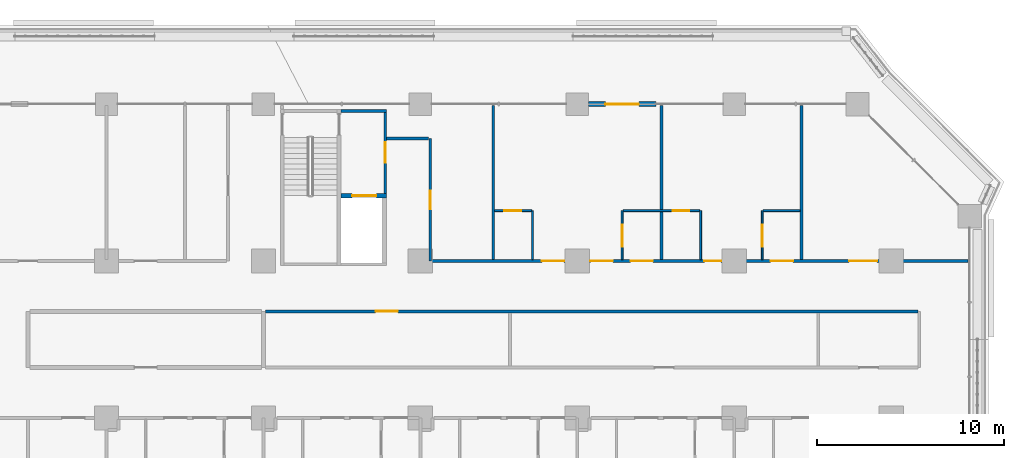
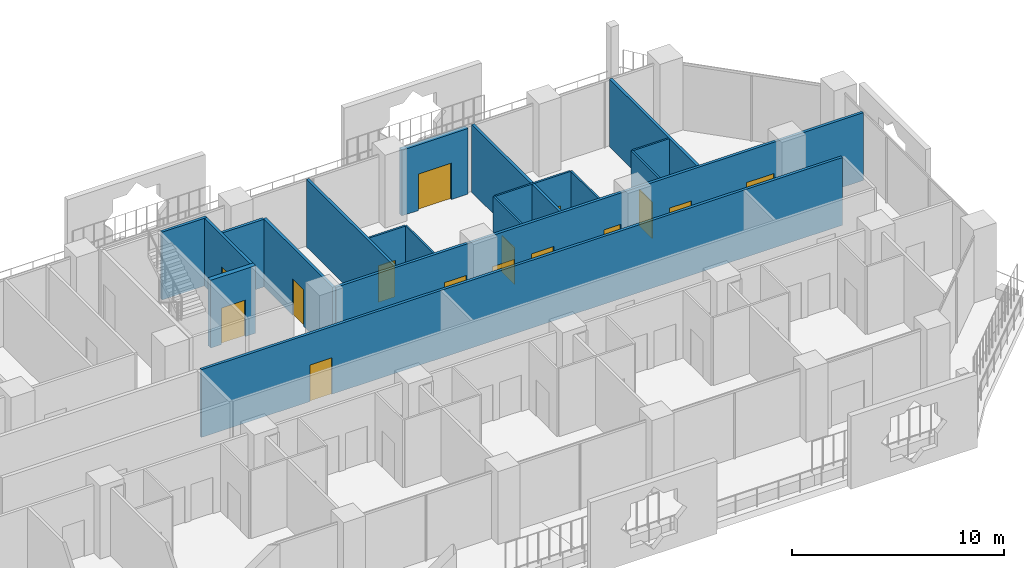
# One storey, part 20 of 29: 18 walls, 15 doors, 15 openings.
"""IFC4 building model written with IfcOpenShell, lengths in metres."""

from ifc_helpers import new_model, si_unit, direction, frame, frame_2d, origin, place, context, subcontext, project, spatial, rectangle, extrude, material, layer, layer_set, type_object, element, fill, save


model = new_model("IFC4")

# Units and contexts
model_context = context("Model", 3, precision=1e-05, world=origin(), true_north=direction((0.0, 1.0)))
body_context = subcontext(model_context, "Body", "Model", "MODEL_VIEW")
ifc_project = project(units=[si_unit("LENGTHUNIT", "METRE"), si_unit("AREAUNIT", "SQUARE_METRE"), si_unit("VOLUMEUNIT", "CUBIC_METRE"), si_unit("PLANEANGLEUNIT", "RADIAN"), si_unit("MASSUNIT", "GRAM", prefix="KILO")], contexts=[model_context])

# Site, building, storey
site_placement = place(None, origin())
site = spatial("IfcSite", under=ifc_project, at=site_placement, CompositionType="ELEMENT")
building_placement = place(site_placement, origin())
building = spatial("IfcBuilding", under=site, at=building_placement, Name="Kawkab Arch Medical Tower", CompositionType="ELEMENT")
storey_placement = place(building_placement, frame((0.0, 0.0, 60.199951171875)))
storey = spatial("IfcBuildingStorey", under=building, at=storey_placement, Name="L13", CompositionType="ELEMENT", Elevation=60.199951171875)

# Wall, opening, door
ifc_material_1 = material(Name="Gypsum board on steel studs", Category="steel")
ifc_layer_1 = layer(ifc_material_1, 0.14990234375)
ifc_layer_set_1 = layer_set([ifc_layer_1], Name="Gypsum board on steel studs")
wall_type_1 = type_object("IfcWallType", Name="Core room partition 150", PredefinedType="PARTITIONING", material=ifc_layer_set_1)
wall_1_placement = place(storey_placement, frame((48.52490234375, -4.77490234375, 0.0), z_axis=(0.0, 0.0, 1.0), x_axis=(0.0, 1.0, 0.0)))
wall_1 = element("IfcWall", 1, at=wall_1_placement, inside=storey, type_object=wall_type_1, Name="L13 core room partition", PredefinedType="PARTITIONING", context=body_context, shape_type="SweptSolid", body=[
    extrude(rectangle(XDim=4.324951171875, YDim=0.14990234375, at=frame_2d((2.16259765625, 0.0))), origin(), (0.0, 0.0, 1.0), 3.900146484375),
])
opening_1_placement = place(wall_1_placement, frame((1.625, 0.0, 0.0)))
opening_1 = element("IfcOpeningElement", 2, at=opening_1_placement, cuts=wall_1, Name="Opening FD", PredefinedType="OPENING", context=body_context, shape_type="SweptSolid", body=[
    extrude(rectangle(XDim=1.10009765625, YDim=2.10009765625, at=frame_2d((0.550048828125, 1.050048828125))), frame((0.0, 0.0849609375, 0.0), z_axis=(0.0, -1.0, 0.0), x_axis=(1.0, 0.0, 0.0)), (0.0, 0.0, 1.0), 0.169921875),
])
ifc_material_2 = material(Name="Hollow metal fire door leaf")
door_type_1 = type_object("IfcDoorType", Name="Firefighting lobby door 1100", OperationType="SINGLE_SWING_LEFT", PredefinedType="DOOR", material=ifc_material_2)
door_1_placement = place(opening_1_placement, origin())
door_1 = element("IfcDoor", 3, at=door_1_placement, inside=storey, type_object=door_type_1, Name="L13 Service lift lobby door SV1", OperationType="SINGLE_SWING_LEFT", OverallHeight=2.10009765625, OverallWidth=1.10009765625, PredefinedType="DOOR", context=body_context, shape_type="SweptSolid", body=[
    extrude(rectangle(XDim=1.10009765625, YDim=2.10009765625, at=frame_2d((0.550048828125, 1.050048828125))), frame((0.0, 0.02490234375, 0.0), z_axis=(0.0, -1.0, 0.0), x_axis=(1.0, 0.0, 0.0)), (0.0, 0.0, 1.0), 0.050048828125),
])
fill(opening_1, door_1)

ifc_material_3 = material(Name="Concrete C60/75", Category="concrete")
ifc_layer_2 = layer(ifc_material_3, 0.25)
ifc_layer_set_2 = layer_set([ifc_layer_2], Name="Concrete C60/75")
wall_type_2 = type_object("IfcWallType", Name="Core shear wall 250 C60/75", PredefinedType="SHEAR", material=ifc_layer_set_2)
wall_2_placement = place(storey_placement, frame((46.14990234375, -4.89990234375, 0.0), z_axis=(0.0, 0.0, 1.0), x_axis=(1.0, 0.0, 0.0)))
wall_2 = element("IfcWall", 4, at=wall_2_placement, inside=storey, type_object=wall_type_2, Name="L13 core shear wall", PredefinedType="SHEAR", context=body_context, shape_type="SweptSolid", body=[
    extrude(rectangle(XDim=2.4501953125, YDim=0.25, at=frame_2d((1.22509765625, 0.0))), origin(), (0.0, 0.0, 1.0), 3.900146484375),
])
opening_2_placement = place(wall_2_placement, frame((0.60009765625, 0.0, 0.0)))
opening_2 = element("IfcOpeningElement", 5, at=opening_2_placement, cuts=wall_2, Name="Opening LD2", PredefinedType="OPENING", context=body_context, shape_type="SweptSolid", body=[
    extrude(rectangle(XDim=1.300048828125, YDim=2.10009765625, at=frame_2d((0.64990234375, 1.050048828125))), frame((0.0, 0.135009765625, 0.0), z_axis=(0.0, -1.0, 0.0), x_axis=(1.0, 0.0, 0.0)), (0.0, 0.0, 1.0), 0.27001953125),
])
ifc_material_4 = material(Name="Stainless steel lift door leaf", Category="steel")
door_type_2 = type_object("IfcDoorType", Name="Lift landing door 1300", OperationType="DOUBLE_DOOR_SLIDING", PredefinedType="DOOR", material=ifc_material_4)
door_2_placement = place(opening_2_placement, origin())
door_2 = element("IfcDoor", 6, at=door_2_placement, inside=storey, type_object=door_type_2, Name="L13 Lift landing door SV1", OperationType="DOUBLE_DOOR_SLIDING", OverallHeight=2.10009765625, OverallWidth=1.300048828125, PredefinedType="DOOR", context=body_context, shape_type="SweptSolid", body=[
    extrude(rectangle(XDim=1.300048828125, YDim=2.10009765625, at=frame_2d((0.64990234375, 1.050048828125))), frame((0.0, 0.02490234375, 0.0), z_axis=(0.0, -1.0, 0.0), x_axis=(1.0, 0.0, 0.0)), (0.0, 0.0, 1.0), 0.050048828125),
])
fill(opening_2, door_2)

ifc_material_5 = material(Name="Bronze clad insulated wall panel")
ifc_layer_3 = layer(ifc_material_5, 0.25)
ifc_layer_set_3 = layer_set([ifc_layer_3], Name="Bronze clad insulated wall panel")
wall_type_3 = type_object("IfcWallType", Name="External wall bay 250", PredefinedType="SOLIDWALL", material=ifc_layer_set_3)
wall_3_placement = place(storey_placement, frame((63.0, 0.0, 0.0), z_axis=(0.0, 0.0, 1.0), x_axis=(-1.0, 0.0, 0.0)))
wall_3 = element("IfcWall", 7, at=wall_3_placement, inside=storey, type_object=wall_type_3, Name="External wall bay L13.R11.2.2", PredefinedType="SOLIDWALL", context=body_context, shape_type="SweptSolid", body=[
    extrude(rectangle(XDim=3.60009765625, YDim=0.25, at=frame_2d((1.800048828125, 0.0))), origin(), (0.0, 0.0, 1.0), 3.780029296875),
])
opening_3_placement = place(wall_3_placement, frame((0.89990234375, 0.0, 0.0)))
opening_3 = element("IfcOpeningElement", 8, at=opening_3_placement, cuts=wall_3, Name="Opening W13A-702", PredefinedType="OPENING", context=body_context, shape_type="SweptSolid", body=[
    extrude(rectangle(XDim=1.800048828125, YDim=2.10009765625, at=frame_2d((0.89990234375, 1.050048828125))), frame((0.0, 0.135009765625, 0.0), z_axis=(0.0, -1.0, 0.0), x_axis=(1.0, 0.0, 0.0)), (0.0, 0.0, 1.0), 0.27001953125),
])
ifc_material_6 = material(Name="Bronze anodised aluminium door with tinted glass", Category="aluminium")
door_type_3 = type_object("IfcDoorType", Name="Double external door 1800 x 2100", OperationType="DOUBLE_DOOR_SINGLE_SWING", PredefinedType="DOOR", material=ifc_material_6)
door_3_placement = place(opening_3_placement, origin())
door_3 = element("IfcDoor", 9, at=door_3_placement, inside=storey, type_object=door_type_3, Name="External door L13.R11.2.2", OperationType="DOUBLE_DOOR_SINGLE_SWING", OverallHeight=2.10009765625, OverallWidth=1.800048828125, PredefinedType="DOOR", context=body_context, shape_type="SweptSolid", body=[
    extrude(rectangle(XDim=1.800048828125, YDim=2.10009765625, at=frame_2d((0.89990234375, 1.050048828125))), frame((0.0, 0.02490234375, 0.0), z_axis=(0.0, -1.0, 0.0), x_axis=(1.0, 0.0, 0.0)), (0.0, 0.0, 1.0), 0.050048828125),
])
fill(opening_3, door_3)

ifc_material_7 = material(Name="Gypsum board partition on steel studs", Category="steel")
ifc_layer_4 = layer(ifc_material_7, 0.10009765625)
ifc_layer_set_4 = layer_set([ifc_layer_4], Name="Gypsum board partition on steel studs")
wall_type_4 = type_object("IfcWallType", Name="Partition 100", PredefinedType="PARTITIONING", material=ifc_layer_set_4)
wall_4_placement = place(storey_placement, frame((54.375, -5.699951171875, 0.0), z_axis=(0.0, 0.0, 1.0), x_axis=(1.0, 0.0, 0.0)))
wall_4 = element("IfcWall", 10, at=wall_4_placement, inside=storey, type_object=wall_type_4, Name="Partition 100 w018", PredefinedType="PARTITIONING", context=body_context, shape_type="SweptSolid", body=[
    extrude(rectangle(XDim=1.97509765625, YDim=0.10009765625, at=frame_2d((0.987548828125, 0.0))), origin(), (0.0, 0.0, 1.0), 3.900146484375),
])
opening_4_placement = place(wall_4_placement, frame((0.52490234375, 0.0, 0.0)))
opening_4 = element("IfcOpeningElement", 11, at=opening_4_placement, cuts=wall_4, Name="Opening W13A-002", PredefinedType="OPENING", context=body_context, shape_type="SweptSolid", body=[
    extrude(rectangle(XDim=0.89990234375, YDim=2.10009765625, at=frame_2d((0.449951171875, 1.050048828125))), frame((0.0, 0.06005859375, 0.0), z_axis=(0.0, -1.0, 0.0), x_axis=(1.0, 0.0, 0.0)), (0.0, 0.0, 1.0), 0.1201171875),
])
ifc_material_8 = material(Name="Timber door leaf", Category="wood")
door_type_4 = type_object("IfcDoorType", Name="Single door 900x2100", OperationType="NOTDEFINED", PredefinedType="DOOR", material=ifc_material_8)
door_4_placement = place(opening_4_placement, origin())
door_4 = element("IfcDoor", 12, at=door_4_placement, inside=storey, type_object=door_type_4, Name="Door W13A-002", OperationType="SINGLE_SWING_RIGHT", OverallHeight=2.10009765625, OverallWidth=0.89990234375, PredefinedType="DOOR", context=body_context, shape_type="SweptSolid", body=[
    extrude(rectangle(XDim=0.89990234375, YDim=2.10009765625, at=frame_2d((0.449951171875, 1.050048828125))), frame((0.0, 0.02490234375, 0.0), z_axis=(0.0, -1.0, 0.0), x_axis=(1.0, 0.0, 0.0)), (0.0, 0.0, 1.0), 0.050048828125),
])
fill(opening_4, door_4)

wall_5_placement = place(storey_placement, frame((61.25, -5.699951171875, 0.0), z_axis=(0.0, 0.0, 1.0), x_axis=(1.0, 0.0, 0.0)))
wall_5 = element("IfcWall", 13, at=wall_5_placement, inside=storey, type_object=wall_type_4, Name="Partition 100 w019", PredefinedType="PARTITIONING", context=body_context, shape_type="SweptSolid", body=[
    extrude(rectangle(XDim=4.10009765625, YDim=0.10009765625, at=frame_2d((2.050048828125, 0.0))), origin(), (0.0, 0.0, 1.0), 3.900146484375),
])
opening_5_placement = place(wall_5_placement, frame((2.64990234375, 0.0, 0.0)))
opening_5 = element("IfcOpeningElement", 14, at=opening_5_placement, cuts=wall_5, Name="Opening W13A-003", PredefinedType="OPENING", context=body_context, shape_type="SweptSolid", body=[
    extrude(rectangle(XDim=0.89990234375, YDim=2.10009765625, at=frame_2d((0.449951171875, 1.050048828125))), frame((0.0, 0.06005859375, 0.0), z_axis=(0.0, -1.0, 0.0), x_axis=(1.0, 0.0, 0.0)), (0.0, 0.0, 1.0), 0.1201171875),
])
door_5_placement = place(opening_5_placement, origin())
door_5 = element("IfcDoor", 15, at=door_5_placement, inside=storey, type_object=door_type_4, Name="Door W13A-003", OperationType="SINGLE_SWING_RIGHT", OverallHeight=2.10009765625, OverallWidth=0.89990234375, PredefinedType="DOOR", context=body_context, shape_type="SweptSolid", body=[
    extrude(rectangle(XDim=0.89990234375, YDim=2.10009765625, at=frame_2d((0.449951171875, 1.050048828125))), frame((0.0, 0.02490234375, 0.0), z_axis=(0.0, -1.0, 0.0), x_axis=(1.0, 0.0, 0.0)), (0.0, 0.0, 1.0), 0.050048828125),
])
fill(opening_5, door_5)

# Walls
wall_6_placement = place(storey_placement, frame((68.75, -5.699951171875, 0.0), z_axis=(0.0, 0.0, 1.0), x_axis=(1.0, 0.0, 0.0)))
element("IfcWall", 16, at=wall_6_placement, inside=storey, type_object=wall_type_4, Name="Partition 100 w020", PredefinedType="PARTITIONING", context=body_context, shape_type="SweptSolid", body=[
    extrude(rectangle(XDim=1.97509765625, YDim=0.10009765625, at=frame_2d((0.987548828125, 0.0))), origin(), (0.0, 0.0, 1.0), 3.900146484375),
])
wall_7_placement = place(storey_placement, frame((56.39990234375, -8.324951171875, 0.0), z_axis=(0.0, 0.0, 1.0), x_axis=(0.0, 1.0, 0.0)))
element("IfcWall", 17, at=wall_7_placement, inside=storey, type_object=wall_type_4, Name="Partition 100 w034", PredefinedType="PARTITIONING", context=body_context, shape_type="SweptSolid", body=[
    extrude(rectangle(XDim=2.625, YDim=0.10009765625, at=frame_2d((1.3125, 0.0))), origin(), (0.0, 0.0, 1.0), 3.900146484375),
])

# Wall, opening, door
wall_8_placement = place(storey_placement, frame((61.199951171875, -8.324951171875, 0.0), z_axis=(0.0, 0.0, 1.0), x_axis=(0.0, 1.0, 0.0)))
wall_8 = element("IfcWall", 18, at=wall_8_placement, inside=storey, type_object=wall_type_4, Name="Partition 100 w037", PredefinedType="PARTITIONING", context=body_context, shape_type="SweptSolid", body=[
    extrude(rectangle(XDim=2.625, YDim=0.10009765625, at=frame_2d((1.3125, 0.0))), origin(), (0.0, 0.0, 1.0), 3.900146484375),
])
opening_6_placement = place(wall_8_placement, frame((0.675048828125, 0.0, 0.0)))
opening_6 = element("IfcOpeningElement", 19, at=opening_6_placement, cuts=wall_8, Name="Opening W13A-043", PredefinedType="OPENING", context=body_context, shape_type="SweptSolid", body=[
    extrude(rectangle(XDim=1.199951171875, YDim=2.10009765625, at=frame_2d((0.60009765625, 1.050048828125))), frame((0.0, 0.06005859375, 0.0), z_axis=(0.0, -1.0, 0.0), x_axis=(1.0, 0.0, 0.0)), (0.0, 0.0, 1.0), 0.1201171875),
])
ifc_material_9 = material(Name="Timber door leaf", Category="wood")
door_type_5 = type_object("IfcDoorType", Name="Single door 1200x2100", OperationType="NOTDEFINED", PredefinedType="DOOR", material=ifc_material_9)
door_6_placement = place(opening_6_placement, origin())
door_6 = element("IfcDoor", 20, at=door_6_placement, inside=storey, type_object=door_type_5, Name="Door W13A-043", OperationType="SINGLE_SWING_LEFT", OverallHeight=2.10009765625, OverallWidth=1.199951171875, PredefinedType="DOOR", context=body_context, shape_type="SweptSolid", body=[
    extrude(rectangle(XDim=1.199951171875, YDim=2.10009765625, at=frame_2d((0.60009765625, 1.050048828125))), frame((0.0, 0.02490234375, 0.0), z_axis=(0.0, -1.0, 0.0), x_axis=(1.0, 0.0, 0.0)), (0.0, 0.0, 1.0), 0.050048828125),
])
fill(opening_6, door_6)

# Wall
wall_9_placement = place(storey_placement, frame((65.39990234375, -8.324951171875, 0.0), z_axis=(0.0, 0.0, 1.0), x_axis=(0.0, 1.0, 0.0)))
element("IfcWall", 21, at=wall_9_placement, inside=storey, type_object=wall_type_4, Name="Partition 100 w039", PredefinedType="PARTITIONING", context=body_context, shape_type="SweptSolid", body=[
    extrude(rectangle(XDim=2.625, YDim=0.10009765625, at=frame_2d((1.3125, 0.0))), origin(), (0.0, 0.0, 1.0), 3.900146484375),
])

# Wall, opening, door
wall_10_placement = place(storey_placement, frame((68.699951171875, -8.324951171875, 0.0), z_axis=(0.0, 0.0, 1.0), x_axis=(0.0, 1.0, 0.0)))
wall_10 = element("IfcWall", 22, at=wall_10_placement, inside=storey, type_object=wall_type_4, Name="Partition 100 w040", PredefinedType="PARTITIONING", context=body_context, shape_type="SweptSolid", body=[
    extrude(rectangle(XDim=2.625, YDim=0.10009765625, at=frame_2d((1.3125, 0.0))), origin(), (0.0, 0.0, 1.0), 3.900146484375),
])
opening_7_placement = place(wall_10_placement, frame((0.675048828125, 0.0, 0.0)))
opening_7 = element("IfcOpeningElement", 23, at=opening_7_placement, cuts=wall_10, Name="Opening W13A-045", PredefinedType="OPENING", context=body_context, shape_type="SweptSolid", body=[
    extrude(rectangle(XDim=1.199951171875, YDim=2.10009765625, at=frame_2d((0.60009765625, 1.050048828125))), frame((0.0, 0.06005859375, 0.0), z_axis=(0.0, -1.0, 0.0), x_axis=(1.0, 0.0, 0.0)), (0.0, 0.0, 1.0), 0.1201171875),
])
door_7_placement = place(opening_7_placement, origin())
door_7 = element("IfcDoor", 24, at=door_7_placement, inside=storey, type_object=door_type_5, Name="Door W13A-045", OperationType="SINGLE_SWING_LEFT", OverallHeight=2.10009765625, OverallWidth=1.199951171875, PredefinedType="DOOR", context=body_context, shape_type="SweptSolid", body=[
    extrude(rectangle(XDim=1.199951171875, YDim=2.10009765625, at=frame_2d((0.60009765625, 1.050048828125))), frame((0.0, 0.02490234375, 0.0), z_axis=(0.0, -1.0, 0.0), x_axis=(1.0, 0.0, 0.0)), (0.0, 0.0, 1.0), 0.050048828125),
])
fill(opening_7, door_7)

ifc_material_10 = material(Name="Gypsum board partition on steel studs, mineral wool", Category="steel")
ifc_layer_5 = layer(ifc_material_10, 0.14990234375)
ifc_layer_set_5 = layer_set([ifc_layer_5], Name="Gypsum board partition on steel studs, mineral wool")
wall_type_5 = type_object("IfcWallType", Name="Partition 150", PredefinedType="PARTITIONING", material=ifc_layer_set_5)
wall_11_placement = place(storey_placement, frame((42.10009765625, -11.10009765625, 0.0), z_axis=(0.0, 0.0, 1.0), x_axis=(1.0, 0.0, 0.0)))
wall_11 = element("IfcWall", 25, at=wall_11_placement, inside=storey, type_object=wall_type_5, Name="Partition 150 w078", PredefinedType="PARTITIONING", context=body_context, shape_type="SweptSolid", body=[
    extrude(rectangle(XDim=34.9248046875, YDim=0.14990234375, at=frame_2d((17.46240234375, 0.0))), origin(), (0.0, 0.0, 1.0), 3.900146484375),
])
opening_8_placement = place(wall_11_placement, frame((5.89990234375, 0.0, 0.0)))
opening_8 = element("IfcOpeningElement", 26, at=opening_8_placement, cuts=wall_11, Name="Opening W13A-046", PredefinedType="OPENING", context=body_context, shape_type="SweptSolid", body=[
    extrude(rectangle(XDim=1.199951171875, YDim=2.10009765625, at=frame_2d((0.60009765625, 1.050048828125))), frame((0.0, 0.0849609375, 0.0), z_axis=(0.0, -1.0, 0.0), x_axis=(1.0, 0.0, 0.0)), (0.0, 0.0, 1.0), 0.169921875),
])
ifc_material_11 = material(Name="Hollow metal door leaf")
door_type_6 = type_object("IfcDoorType", Name="Single door 1200x2100 FD30S", OperationType="NOTDEFINED", PredefinedType="DOOR", material=ifc_material_11)
door_8_placement = place(opening_8_placement, origin())
door_8 = element("IfcDoor", 27, at=door_8_placement, inside=storey, type_object=door_type_6, Name="Door W13A-046", OperationType="SINGLE_SWING_RIGHT", OverallHeight=2.10009765625, OverallWidth=1.199951171875, PredefinedType="DOOR", context=body_context, shape_type="SweptSolid", body=[
    extrude(rectangle(XDim=1.199951171875, YDim=2.10009765625, at=frame_2d((0.60009765625, 1.050048828125))), frame((0.0, 0.02490234375, 0.0), z_axis=(0.0, -1.0, 0.0), x_axis=(1.0, 0.0, 0.0)), (0.0, 0.0, 1.0), 0.050048828125),
])
fill(opening_8, door_8)

# Wall, openings, doors
wall_12_placement = place(storey_placement, frame((51.0, -8.39990234375, 0.0), z_axis=(0.0, 0.0, 1.0), x_axis=(1.0, 0.0, 0.0)))
wall_12 = element("IfcWall", 28, at=wall_12_placement, inside=storey, type_object=wall_type_5, Name="Partition 150 w081", PredefinedType="PARTITIONING", context=body_context, shape_type="SweptSolid", body=[
    extrude(rectangle(XDim=28.719970703125, YDim=0.14990234375, at=frame_2d((14.35986328125, 0.0))), origin(), (0.0, 0.0, 1.0), 3.900146484375),
])
opening_9_placement = place(wall_12_placement, frame((5.89990234375, 0.0, 0.0)))
opening_9 = element("IfcOpeningElement", 29, at=opening_9_placement, cuts=wall_12, Name="Opening W13A-040", PredefinedType="OPENING", context=body_context, shape_type="SweptSolid", body=[
    extrude(rectangle(XDim=1.199951171875, YDim=2.10009765625, at=frame_2d((0.60009765625, 1.050048828125))), frame((0.0, 0.0849609375, 0.0), z_axis=(0.0, -1.0, 0.0), x_axis=(1.0, 0.0, 0.0)), (0.0, 0.0, 1.0), 0.169921875),
])
opening_10_placement = place(wall_12_placement, frame((8.5, 0.0, 0.0)))
opening_10 = element("IfcOpeningElement", 30, at=opening_10_placement, cuts=wall_12, Name="Opening W13A-041", PredefinedType="OPENING", context=body_context, shape_type="SweptSolid", body=[
    extrude(rectangle(XDim=1.199951171875, YDim=2.10009765625, at=frame_2d((0.60009765625, 1.050048828125))), frame((0.0, 0.0849609375, 0.0), z_axis=(0.0, -1.0, 0.0), x_axis=(1.0, 0.0, 0.0)), (0.0, 0.0, 1.0), 0.169921875),
])
opening_11_placement = place(wall_12_placement, frame((10.64990234375, 0.0, 0.0)))
opening_11 = element("IfcOpeningElement", 31, at=opening_11_placement, cuts=wall_12, Name="Opening W13A-042", PredefinedType="OPENING", context=body_context, shape_type="SweptSolid", body=[
    extrude(rectangle(XDim=1.199951171875, YDim=2.10009765625, at=frame_2d((0.60009765625, 1.050048828125))), frame((0.0, 0.0849609375, 0.0), z_axis=(0.0, -1.0, 0.0), x_axis=(1.0, 0.0, 0.0)), (0.0, 0.0, 1.0), 0.169921875),
])
opening_12_placement = place(wall_12_placement, frame((14.60009765625, 0.0, 0.0)))
opening_12 = element("IfcOpeningElement", 32, at=opening_12_placement, cuts=wall_12, Name="Opening W13A-018", PredefinedType="OPENING", context=body_context, shape_type="SweptSolid", body=[
    extrude(rectangle(XDim=0.89990234375, YDim=2.10009765625, at=frame_2d((0.449951171875, 1.050048828125))), frame((0.0, 0.0849609375, 0.0), z_axis=(0.0, -1.0, 0.0), x_axis=(1.0, 0.0, 0.0)), (0.0, 0.0, 1.0), 0.169921875),
])
opening_13_placement = place(wall_12_placement, frame((18.14990234375, 0.0, 0.0)))
opening_13 = element("IfcOpeningElement", 33, at=opening_13_placement, cuts=wall_12, Name="Opening W13A-044", PredefinedType="OPENING", context=body_context, shape_type="SweptSolid", body=[
    extrude(rectangle(XDim=1.199951171875, YDim=2.10009765625, at=frame_2d((0.60009765625, 1.050048828125))), frame((0.0, 0.0849609375, 0.0), z_axis=(0.0, -1.0, 0.0), x_axis=(1.0, 0.0, 0.0)), (0.0, 0.0, 1.0), 0.169921875),
])
opening_14_placement = place(wall_12_placement, frame((22.35009765625, 0.0, 0.0)))
opening_14 = element("IfcOpeningElement", 34, at=opening_14_placement, cuts=wall_12, Name="Opening W13A-001", PredefinedType="OPENING", context=body_context, shape_type="SweptSolid", body=[
    extrude(rectangle(XDim=1.5, YDim=2.10009765625, at=frame_2d((0.75, 1.050048828125))), frame((0.0, 0.0849609375, 0.0), z_axis=(0.0, -1.0, 0.0), x_axis=(1.0, 0.0, 0.0)), (0.0, 0.0, 1.0), 0.169921875),
])
ifc_material_12 = material(Name="Hollow metal door leaf")
door_type_7 = type_object("IfcDoorType", Name="Double door 1500x2100 FD30S", OperationType="NOTDEFINED", PredefinedType="DOOR", material=ifc_material_12)
door_9_placement = place(opening_14_placement, origin())
door_9 = element("IfcDoor", 35, at=door_9_placement, inside=storey, type_object=door_type_7, Name="Door W13A-001", OperationType="DOUBLE_DOOR_SINGLE_SWING", OverallHeight=2.10009765625, OverallWidth=1.5, PredefinedType="DOOR", context=body_context, shape_type="SweptSolid", body=[
    extrude(rectangle(XDim=1.5, YDim=2.10009765625, at=frame_2d((0.75, 1.050048828125))), frame((0.0, 0.02490234375, 0.0), z_axis=(0.0, -1.0, 0.0), x_axis=(1.0, 0.0, 0.0)), (0.0, 0.0, 1.0), 0.050048828125),
])
fill(opening_14, door_9)
door_10_placement = place(opening_9_placement, origin())
door_10 = element("IfcDoor", 36, at=door_10_placement, inside=storey, type_object=door_type_6, Name="Door W13A-040", OperationType="SINGLE_SWING_LEFT", OverallHeight=2.10009765625, OverallWidth=1.199951171875, PredefinedType="DOOR", context=body_context, shape_type="SweptSolid", body=[
    extrude(rectangle(XDim=1.199951171875, YDim=2.10009765625, at=frame_2d((0.60009765625, 1.050048828125))), frame((0.0, 0.02490234375, 0.0), z_axis=(0.0, -1.0, 0.0), x_axis=(1.0, 0.0, 0.0)), (0.0, 0.0, 1.0), 0.050048828125),
])
fill(opening_9, door_10)
door_11_placement = place(opening_10_placement, origin())
door_11 = element("IfcDoor", 37, at=door_11_placement, inside=storey, type_object=door_type_6, Name="Door W13A-041", OperationType="SINGLE_SWING_LEFT", OverallHeight=2.10009765625, OverallWidth=1.199951171875, PredefinedType="DOOR", context=body_context, shape_type="SweptSolid", body=[
    extrude(rectangle(XDim=1.199951171875, YDim=2.10009765625, at=frame_2d((0.60009765625, 1.050048828125))), frame((0.0, 0.02490234375, 0.0), z_axis=(0.0, -1.0, 0.0), x_axis=(1.0, 0.0, 0.0)), (0.0, 0.0, 1.0), 0.050048828125),
])
fill(opening_10, door_11)
door_12_placement = place(opening_11_placement, origin())
door_12 = element("IfcDoor", 38, at=door_12_placement, inside=storey, type_object=door_type_6, Name="Door W13A-042", OperationType="SINGLE_SWING_LEFT", OverallHeight=2.10009765625, OverallWidth=1.199951171875, PredefinedType="DOOR", context=body_context, shape_type="SweptSolid", body=[
    extrude(rectangle(XDim=1.199951171875, YDim=2.10009765625, at=frame_2d((0.60009765625, 1.050048828125))), frame((0.0, 0.02490234375, 0.0), z_axis=(0.0, -1.0, 0.0), x_axis=(1.0, 0.0, 0.0)), (0.0, 0.0, 1.0), 0.050048828125),
])
fill(opening_11, door_12)
door_13_placement = place(opening_13_placement, origin())
door_13 = element("IfcDoor", 39, at=door_13_placement, inside=storey, type_object=door_type_6, Name="Door W13A-044", OperationType="SINGLE_SWING_RIGHT", OverallHeight=2.10009765625, OverallWidth=1.199951171875, PredefinedType="DOOR", context=body_context, shape_type="SweptSolid", body=[
    extrude(rectangle(XDim=1.199951171875, YDim=2.10009765625, at=frame_2d((0.60009765625, 1.050048828125))), frame((0.0, 0.02490234375, 0.0), z_axis=(0.0, -1.0, 0.0), x_axis=(1.0, 0.0, 0.0)), (0.0, 0.0, 1.0), 0.050048828125),
])
fill(opening_13, door_13)
ifc_material_13 = material(Name="Hollow metal door leaf")
door_type_8 = type_object("IfcDoorType", Name="Single door 900x2100 FD30S", OperationType="NOTDEFINED", PredefinedType="DOOR", material=ifc_material_13)
door_14_placement = place(opening_12_placement, origin())
door_14 = element("IfcDoor", 40, at=door_14_placement, inside=storey, type_object=door_type_8, Name="Door W13A-018", OperationType="SINGLE_SWING_RIGHT", OverallHeight=2.10009765625, OverallWidth=0.89990234375, PredefinedType="DOOR", context=body_context, shape_type="SweptSolid", body=[
    extrude(rectangle(XDim=0.89990234375, YDim=2.10009765625, at=frame_2d((0.449951171875, 1.050048828125))), frame((0.0, 0.02490234375, 0.0), z_axis=(0.0, -1.0, 0.0), x_axis=(1.0, 0.0, 0.0)), (0.0, 0.0, 1.0), 0.050048828125),
])
fill(opening_12, door_14)

# Wall
wall_13_placement = place(storey_placement, frame((48.60009765625, -1.85009765625, 0.0), z_axis=(0.0, 0.0, 1.0), x_axis=(1.0, 0.0, 0.0)))
element("IfcWall", 41, at=wall_13_placement, inside=storey, type_object=wall_type_5, Name="Partition 150 w082", PredefinedType="PARTITIONING", context=body_context, shape_type="SweptSolid", body=[
    extrude(rectangle(XDim=2.247802734375, YDim=0.14990234375, at=frame_2d((1.1240234375, 0.0))), origin(), (0.0, 0.0, 1.0), 3.900146484375),
])

# Wall, opening, door
wall_14_placement = place(storey_placement, frame((50.925048828125, -8.39990234375, 0.0), z_axis=(0.0, 0.0, 1.0), x_axis=(0.0, 1.0, 0.0)))
wall_14 = element("IfcWall", 42, at=wall_14_placement, inside=storey, type_object=wall_type_5, Name="Partition 150 w107", PredefinedType="PARTITIONING", context=body_context, shape_type="SweptSolid", body=[
    extrude(rectangle(XDim=6.5478515625, YDim=0.14990234375, at=frame_2d((3.27392578125, 0.0))), origin(), (0.0, 0.0, 1.0), 3.900146484375),
])
opening_15_placement = place(wall_14_placement, frame((2.77392578125, 0.0, 0.0)))
opening_15 = element("IfcOpeningElement", 43, at=opening_15_placement, cuts=wall_14, Name="Opening W13A-026", PredefinedType="OPENING", context=body_context, shape_type="SweptSolid", body=[
    extrude(rectangle(XDim=1.0, YDim=2.10009765625, at=frame_2d((0.5, 1.050048828125))), frame((0.0, 0.0849609375, 0.0), z_axis=(0.0, -1.0, 0.0), x_axis=(1.0, 0.0, 0.0)), (0.0, 0.0, 1.0), 0.169921875),
])
ifc_material_14 = material(Name="Hollow metal door leaf")
door_type_9 = type_object("IfcDoorType", Name="Single door 1000x2100 FD30S", OperationType="NOTDEFINED", PredefinedType="DOOR", material=ifc_material_14)
door_15_placement = place(opening_15_placement, origin())
door_15 = element("IfcDoor", 44, at=door_15_placement, inside=storey, type_object=door_type_9, Name="Door W13A-026", OperationType="SINGLE_SWING_RIGHT", OverallHeight=2.10009765625, OverallWidth=1.0, PredefinedType="DOOR", context=body_context, shape_type="SweptSolid", body=[
    extrude(rectangle(XDim=1.0, YDim=2.10009765625, at=frame_2d((0.5, 1.050048828125))), frame((0.0, 0.02490234375, 0.0), z_axis=(0.0, -1.0, 0.0), x_axis=(1.0, 0.0, 0.0)), (0.0, 0.0, 1.0), 0.050048828125),
])
fill(opening_15, door_15)

# Walls
for number, where, z_axis, x_axis, name in (
    (45, (54.300048828125, -8.324951171875, 0.0), (0.0, 0.0, 1.0), (0.0, 1.0, 0.0), "Partition 150 w109"),
    (46, (63.300048828125, -8.324951171875, 0.0), (0.0, 0.0, 1.0), (0.0, 1.0, 0.0), "Partition 150 w113"),
    (47, (70.800048828125, -8.324951171875, 0.0), (0.0, 0.0, 1.0), (0.0, 1.0, 0.0), "Partition 150 w116"),
):
    element("IfcWall", number, at=place(storey_placement, frame(where, z_axis=z_axis, x_axis=x_axis)), inside=storey, type_object=wall_type_5, Name=name, PredefinedType="PARTITIONING", context=body_context, shape_type="SweptSolid", body=[
        extrude(rectangle(XDim=8.244873046875, YDim=0.14990234375, at=frame_2d((4.12255859375, 0.0))), origin(), (0.0, 0.0, 1.0), 3.900146484375),
    ])
ifc_material_15 = material(Name="Concrete C50/60", Category="concrete")
ifc_layer_6 = layer(ifc_material_15, 0.14990234375)
ifc_layer_set_6 = layer_set([ifc_layer_6], Name="Concrete C50/60")
wall_type_6 = type_object("IfcWallType", Name="Stair enclosure wall 150 C50/60", PredefinedType="SHEAR", material=ifc_layer_set_6)
wall_15_placement = place(storey_placement, frame((46.14990234375, -0.375, 0.0), z_axis=(0.0, 0.0, 1.0), x_axis=(1.0, 0.0, 0.0)))
element("IfcWall", 48, at=wall_15_placement, inside=storey, type_object=wall_type_6, Name="L13 stair enclosure wall", PredefinedType="SHEAR", context=body_context, shape_type="SweptSolid", body=[
    extrude(rectangle(XDim=2.4501953125, YDim=0.14990234375, at=frame_2d((1.22509765625, 0.0))), origin(), (0.0, 0.0, 1.0), 3.900146484375),
])

save(model, "model.ifc")
